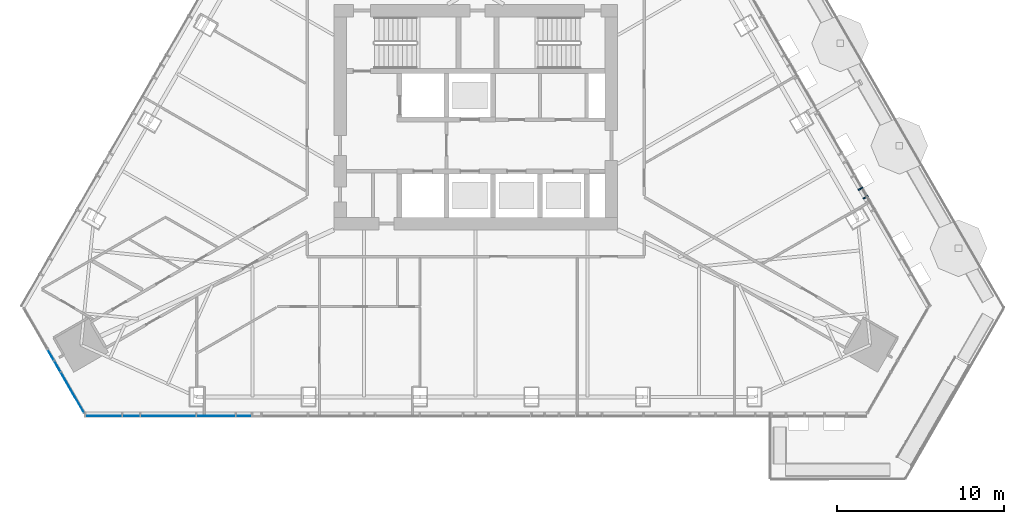
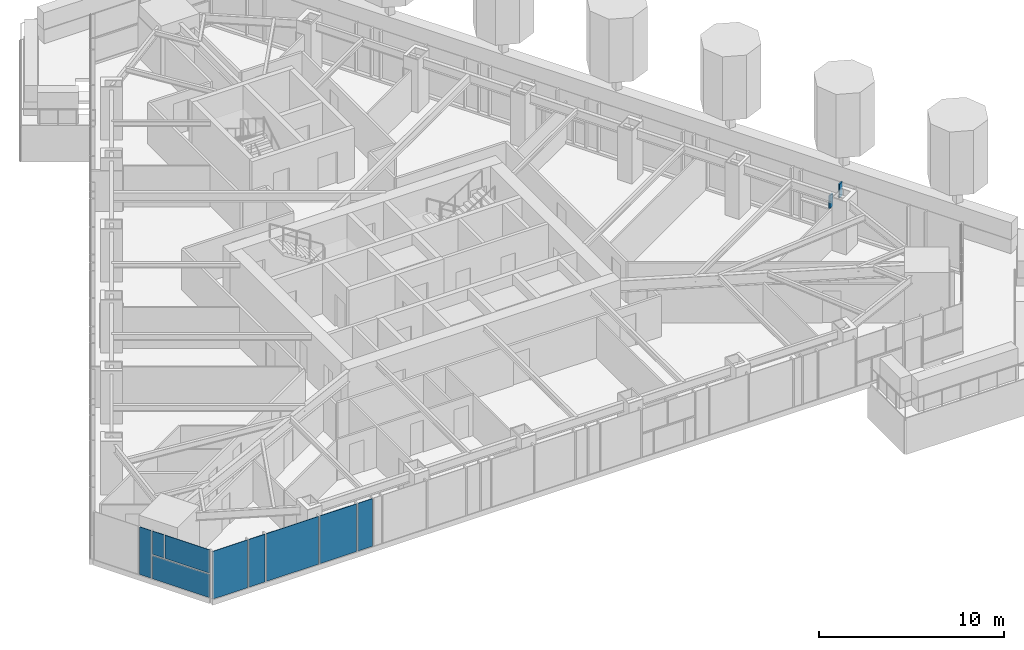
# One storey, part 8 of 24: 9 plates, 2 members, 3 elements without a shape of their own.
"""IFC4 building model written with IfcOpenShell, lengths in metres."""

import ifcopenshell
import ifcopenshell.guid

model = None  # the IFC model being written
_history = None  # IfcOwnerHistory: only IFC2X3 demands one
_inside = {}  # id of a spatial element -> (the spatial element, [elements in it])
_under = {}  # id of a project, library or spatial element -> (it, [spatial elements below it])
_declared = {}  # id of a project -> (the project, [libraries it declares])
_typed = {}  # id of a type object -> (the type object, [elements of that type])
_made_of = {}  # id of a material, layer set ... -> (it, [elements and type objects made of it])


def new_model(schema):
    """Start an empty IFC model of exactly this schema.

    Asked for "IFC4X3", IfcOpenShell would pick the latest addendum, in which some entities
    have other attributes; the version numbers below select the first issue.
    IFC2X3 requires an IfcOwnerHistory on every rooted entity: one is made here for all.
    """
    global model, _history
    if schema == "IFC4X3":
        model = ifcopenshell.file(schema_version=(4, 3, 0, 0))
    else:
        model = ifcopenshell.file(schema=schema)
    _inside.clear()
    _under.clear()
    _declared.clear()
    _typed.clear()
    _made_of.clear()
    _history = None
    if model.schema == "IFC2X3":
        org = make("IfcOrganization", Name="unknown")
        user = make(
            "IfcPersonAndOrganization",
            ThePerson=make("IfcPerson", FamilyName="unknown"),
            TheOrganization=org,
        )
        app = make(
            "IfcApplication",
            ApplicationDeveloper=org,
            Version="unknown",
            ApplicationFullName="unknown",
            ApplicationIdentifier="unknown",
        )
        _history = make(
            "IfcOwnerHistory",
            OwningUser=user,
            OwningApplication=app,
            ChangeAction="ADDED",
            CreationDate=0,
        )
    return model


def make(cls, **values):
    """One entity of the class cls with the attributes given. An attribute that is None is left unset."""
    return model.create_entity(
        cls, **{name: value for name, value in values.items() if value is not None}
    )


def rooted(cls, **values):
    """An entity with a GlobalId (a new one), such as an element, a storey or a relation."""
    return make(cls, GlobalId=ifcopenshell.guid.new(), OwnerHistory=_history, **values)


def si_unit(unit_type, name, prefix=None):
    """IfcSIUnit, for example si_unit("LENGTHUNIT", "METRE", prefix="MILLI")."""
    return make("IfcSIUnit", UnitType=unit_type, Prefix=prefix, Name=name)


def assignment(units):
    """IfcUnitAssignment: the units of a project."""
    return None if units is None else make("IfcUnitAssignment", Units=units)


def point(xyz):
    """IfcCartesianPoint."""
    return None if xyz is None else make("IfcCartesianPoint", Coordinates=xyz)


def direction(xyz):
    """IfcDirection."""
    return None if xyz is None else make("IfcDirection", DirectionRatios=xyz)


def frame(location, z_axis=None, x_axis=None):
    """IfcAxis2Placement3D, a coordinate frame: its origin and axes. An axis left out is left unset."""
    return make(
        "IfcAxis2Placement3D",
        Location=point(location),
        Axis=direction(z_axis),
        RefDirection=direction(x_axis),
    )


def frame_2d(location, x_axis=None):
    """IfcAxis2Placement2D, a coordinate frame in the plane: its origin and x axis."""
    return make(
        "IfcAxis2Placement2D", Location=point(location), RefDirection=direction(x_axis)
    )


def origin():
    """The frame at (0, 0, 0) with its axes left unset."""
    return frame((0.0, 0.0, 0.0))


def origin_2d():
    """The frame at (0, 0) in the plane with its x axis left unset."""
    return frame_2d((0.0, 0.0))


def place(relative_to, where):
    """IfcLocalPlacement: puts the frame where relative to a parent placement (None: the world)."""
    return make(
        "IfcLocalPlacement", PlacementRelTo=relative_to, RelativePlacement=where
    )


def context(
    kind, dimensions, precision=None, world=None, true_north=None, identifier=None
):
    """IfcGeometricRepresentationContext, for example the 3D "Model" context."""
    return make(
        "IfcGeometricRepresentationContext",
        ContextIdentifier=identifier,
        ContextType=kind,
        CoordinateSpaceDimension=dimensions,
        Precision=precision,
        WorldCoordinateSystem=world,
        TrueNorth=true_north,
    )


def subcontext(parent, identifier, kind, view, scale=None):
    """IfcGeometricRepresentationSubContext, for example "Body" below "Model"."""
    return make(
        "IfcGeometricRepresentationSubContext",
        ContextIdentifier=identifier,
        ContextType=kind,
        ParentContext=parent,
        TargetScale=scale,
        TargetView=view,
    )


def project(units=None, contexts=None):
    """IfcProject with its units and contexts."""
    return rooted(
        "IfcProject",
        Name="project",
        RepresentationContexts=contexts,
        UnitsInContext=assignment(units),
    )


def spatial(cls, under=None, at=None, **own):
    """A site, building, storey or space (cls), placed at a placement, below another one or the project."""
    s = rooted(cls, ObjectPlacement=at, **own)
    if under is not None:
        _under.setdefault(under.id(), (under, []))[1].append(s)
    return s


def polyline(points):
    """IfcPolyline through the points."""
    return make("IfcPolyline", Points=[point(p) for p in points])


def profile(cls, at=None, kind="AREA", **sizes):
    """A parametric profile (cls). Its sizes go by their IFC names, for example OverallWidth=200.0."""
    return make(cls, ProfileType=kind, Position=at, **sizes)


def rectangle(**sizes):
    """IfcRectangleProfileDef."""
    return profile("IfcRectangleProfileDef", **sizes)


def outline(outer, holes=None, kind="AREA"):
    """IfcArbitraryClosedProfileDef: a profile drawn as a closed curve; with holes, ...WithVoids."""
    if holes is None:
        return make("IfcArbitraryClosedProfileDef", ProfileType=kind, OuterCurve=outer)
    return make(
        "IfcArbitraryProfileDefWithVoids",
        ProfileType=kind,
        OuterCurve=outer,
        InnerCurves=holes,
    )


def extrude(swept, where, along, depth):
    """IfcExtrudedAreaSolid: the profile swept, set in the frame where, extruded along a direction by depth."""
    return make(
        "IfcExtrudedAreaSolid",
        SweptArea=swept,
        Position=where,
        ExtrudedDirection=direction(along),
        Depth=depth,
    )


def shape(context_of_items, identifier, shape_type, items):
    """IfcShapeRepresentation: the items that make up one representation, for example the "Body"."""
    return make(
        "IfcShapeRepresentation",
        ContextOfItems=context_of_items,
        RepresentationIdentifier=identifier,
        RepresentationType=shape_type,
        Items=items,
    )


def material(Name=None, Category=None):
    """IfcMaterial."""
    return make("IfcMaterial", Name=Name, Category=Category)


def layer(
    of_material, thickness, ventilated=None, Name=None, Category=None, Priority=None
):
    """IfcMaterialLayer: one layer of a wall or slab, of a material (None: an air gap)."""
    return make(
        "IfcMaterialLayer",
        Material=of_material,
        LayerThickness=thickness,
        IsVentilated=ventilated,
        Name=Name,
        Category=Category,
        Priority=Priority,
    )


def layer_set(layers, Name=None):
    """IfcMaterialLayerSet."""
    return make("IfcMaterialLayerSet", MaterialLayers=layers, LayerSetName=Name)


def material_profile(
    of_material, cross_section, Name=None, Category=None, Priority=None
):
    """IfcMaterialProfile: a cross section and its material."""
    return make(
        "IfcMaterialProfile",
        Name=Name,
        Material=of_material,
        Profile=cross_section,
        Priority=Priority,
        Category=Category,
    )


def profile_set(profiles, Name=None, composite=None):
    """IfcMaterialProfileSet."""
    return make(
        "IfcMaterialProfileSet",
        Name=Name,
        MaterialProfiles=profiles,
        CompositeProfile=composite,
    )


def made_of(thing, what):
    """Note that an element or type object is made of a material, layer set ...; save() writes the relation."""
    if what is not None:
        _made_of.setdefault(what.id(), (what, []))[1].append(thing)
    return thing


def type_object(cls, material=None, **own):
    """A type object (cls), such as IfcWallType, which elements share."""
    return made_of(rooted(cls, **own), material)


def element(
    cls,
    number,
    at=None,
    inside=None,
    cuts=None,
    type_object=None,
    material=None,
    context=None,
    identifier="Body",
    shape_type=None,
    held_by="IfcProductDefinitionShape",
    body=None,
    shapes=None,
    **own,
):
    """One element of the class cls, such as IfcWall. Its Tag is "e" and its number.

    at: its placement. inside: the storey or other place that contains it. cuts: it is an
    opening in that element (IfcRelVoidsElement). A single representation is given by context,
    identifier, shape_type and body (its items); several are given by shapes. held_by: the class
    of the entity that holds the representations. save() writes the other relations.
    """
    e = rooted(cls, Tag="e%d" % number, ObjectPlacement=at, **own)
    if body is not None:
        shapes = [shape(context, identifier, shape_type, body)]
    if shapes is not None:
        e.Representation = make(held_by, Representations=shapes)
    if inside is not None:
        _inside.setdefault(inside.id(), (inside, []))[1].append(e)
    if cuts is not None:
        rooted(
            "IfcRelVoidsElement", RelatingBuildingElement=cuts, RelatedOpeningElement=e
        )
    if type_object is not None:
        _typed.setdefault(type_object.id(), (type_object, []))[1].append(e)
    return made_of(e, material)


def aggregate(whole, parts):
    """IfcRelAggregates: a whole, such as a stair, and the parts it consists of."""
    return rooted("IfcRelAggregates", RelatingObject=whole, RelatedObjects=parts)


def save(model, path):
    """Write the relations noted so far, then the file.

    IfcRelAggregates (storeys below a building ...), IfcRelContainedInSpatialStructure (elements
    in a storey), IfcRelDefinesByType, IfcRelAssociatesMaterial and IfcRelDeclares: one each for
    every whole, place, type object, material and project.
    """
    for whole, parts in _under.values():
        aggregate(whole, parts)
    for where, things in _inside.values():
        rooted(
            "IfcRelContainedInSpatialStructure",
            RelatedElements=things,
            RelatingStructure=where,
        )
    for kind, things in _typed.values():
        rooted("IfcRelDefinesByType", RelatedObjects=things, RelatingType=kind)
    for what, things in _made_of.values():
        rooted("IfcRelAssociatesMaterial", RelatedObjects=things, RelatingMaterial=what)
    for by, libraries in _declared.values():
        rooted("IfcRelDeclares", RelatingContext=by, RelatedDefinitions=libraries)
    model.write(path)


model = new_model("IFC4")

# Units and contexts
model_context = context("Model", 3, precision=1e-05, world=origin(), true_north=direction((0.0, 1.0)))
body_context = subcontext(model_context, "Body", "Model", "MODEL_VIEW")
ifc_project = project(units=[si_unit("LENGTHUNIT", "METRE"), si_unit("AREAUNIT", "SQUARE_METRE"), si_unit("VOLUMEUNIT", "CUBIC_METRE"), si_unit("PLANEANGLEUNIT", "RADIAN"), si_unit("MASSUNIT", "GRAM", prefix="KILO")], contexts=[model_context])

# Site, building, storey
site_placement = place(None, origin())
site = spatial("IfcSite", under=ifc_project, at=site_placement, CompositionType="ELEMENT")
building_placement = place(site_placement, origin())
building = spatial("IfcBuilding", under=site, at=building_placement, Name="Firuza Gate Tower and Library", CompositionType="ELEMENT")
storey_placement = place(building_placement, frame((0.0, 0.0, 267.10009765625)))
storey = spatial("IfcBuildingStorey", under=building, at=storey_placement, Name="L63", CompositionType="ELEMENT", Elevation=267.10009765625)

# Curtain wall, members
ifc_material_1 = material(Name="Aluminium 6063-T6", Category="aluminium")
ifc_layer_1 = layer(ifc_material_1, 0.14990234375)
ifc_layer_set_1 = layer_set([ifc_layer_1], Name="Unitised curtain wall, residences")
curtain_wall_type_1 = type_object("IfcCurtainWallType", Name="Unitised curtain wall, residences", PredefinedType="NOTDEFINED", material=ifc_layer_set_1)
placement = place(storey_placement, origin())
curtain_wall_1 = element("IfcCurtainWall", 1, at=placement, inside=storey, type_object=curtain_wall_type_1, Name="CW3 L63 E face", PredefinedType="NOTDEFINED")
ifc_material_2 = material(Name="Aluminium 6063-T6", Category="aluminium")
ifc_material_profile = material_profile(ifc_material_2, rectangle(XDim=0.320068359375, YDim=0.080078125, at=origin_2d()))
ifc_profile_set = profile_set([ifc_material_profile], Name="Aluminium 6063-T6")
member_type = type_object("IfcMemberType", Name="Curtain wall mullion 80x320", PredefinedType="MULLION", material=ifc_profile_set)
member_1_placement = place(storey_placement, frame((98.05126953125, 70.71533203125, 1.489990234375), z_axis=(0.0, 0.0, 1.0), x_axis=(-0.866025403784, -0.5, 0.0)))
member_1 = element("IfcMember", 2, at=member_1_placement, type_object=member_type, Name="Mullion", PredefinedType="MULLION", context=body_context, shape_type="SweptSolid", body=[
    extrude(rectangle(XDim=0.320068359375, YDim=0.080078125, at=origin_2d()), origin(), (0.0, 0.0, 1.0), 0.844970703125),
])
member_2_placement = place(storey_placement, frame((98.350830078125, 70.196533203125, 2.414794921875), z_axis=(0.0, 0.0, 1.0), x_axis=(-0.866025403784, -0.5, 0.0)))
member_2 = element("IfcMember", 3, at=member_2_placement, type_object=member_type, Name="Mullion", PredefinedType="MULLION", context=body_context, shape_type="SweptSolid", body=[
    extrude(rectangle(XDim=0.320068359375, YDim=0.080078125, at=origin_2d()), origin(), (0.0, 0.0, 1.0), 0.885009765625),
])
aggregate(curtain_wall_1, [member_1, member_2])

# Curtain wall, plates
ifc_material_3 = material(Name="Aluminium 6063-T6", Category="aluminium")
ifc_layer_2 = layer(ifc_material_3, 0.14990234375)
ifc_layer_set_2 = layer_set([ifc_layer_2], Name="Corner curtain wall, chamfers")
curtain_wall_type_2 = type_object("IfcCurtainWallType", Name="Corner curtain wall, chamfers", PredefinedType="NOTDEFINED", material=ifc_layer_set_2)
curtain_wall_2 = element("IfcCurtainWall", 4, at=placement, inside=storey, type_object=curtain_wall_type_2, Name="CW4 L63 SW corner", PredefinedType="NOTDEFINED")
ifc_material_4 = material(Name="Fritted glass", Category="glass")
ifc_layer_3 = layer(ifc_material_4, 0.030029296875)
ifc_layer_set_3 = layer_set([ifc_layer_3], Name="Fritted glass unit, corners")
plate_type_1 = type_object("IfcPlateType", Name="Fritted glass unit, corners", PredefinedType="CURTAIN_PANEL", material=ifc_layer_set_3)
plate_1_placement = place(storey_placement, frame((49.35546875, 61.0654296875, 0.14990234375), z_axis=(-0.866111632091, -0.499850618442, 0.0), x_axis=(0.499850618442, -0.866111632091, 0.0)))
plate_1 = element("IfcPlate", 5, at=plate_1_placement, type_object=plate_type_1, Name="Glass unit", PredefinedType="CURTAIN_PANEL", context=body_context, shape_type="SweptSolid", body=[
    extrude(outline(polyline([(0.0, 0.0), (0.7145689555984032, 0.0), (0.7145689555984032, 3.14990234375), (0.0, 3.14990234375), (0.0, 0.0)])), origin(), (0.0, 0.0, -1.0), 0.030029296875),
])
plate_2_placement = place(storey_placement, frame((49.752685546875, 60.377197265625, 0.14990234375), z_axis=(-0.866016723041, -0.500015035186, 0.0), x_axis=(0.500015035186, -0.866016723041, 0.0)))
plate_2 = element("IfcPlate", 6, at=plate_2_placement, type_object=plate_type_1, Name="Glass unit", PredefinedType="CURTAIN_PANEL", context=body_context, shape_type="SweptSolid", body=[
    extrude(outline(polyline([(0.0, 0.0), (3.5633694106530625, 0.0), (3.5633694106530625, 1.5349121093749998), (0.0, 1.5349121093749998), (0.0, 0.0)])), origin(), (0.0, 0.0, -1.0), 0.030029296875),
])
plate_3_placement = place(storey_placement, frame((49.752685546875, 60.377197265625, 1.764892578125), z_axis=(-0.865878230008, -0.500254825861, 0.0), x_axis=(0.500254825861, -0.865878230008, 0.0)))
plate_3 = element("IfcPlate", 7, at=plate_3_placement, type_object=plate_type_1, Name="Glass unit", PredefinedType="CURTAIN_PANEL", context=body_context, shape_type="SweptSolid", body=[
    extrude(outline(polyline([(0.0, 0.0), (0.7144796142339429, 0.0), (0.7144796142339429, 1.534912109375), (0.0, 1.534912109375), (0.0, 0.0)])), origin(), (0.0, 0.0, -1.0), 0.030029296875),
])

curtain_wall_3 = element("IfcCurtainWall", 8, at=placement, inside=storey, type_object=curtain_wall_type_1, Name="CW3 L63 S face", PredefinedType="NOTDEFINED")
ifc_material_5 = material(Name="Fritted glass", Category="glass")
ifc_layer_4 = layer(ifc_material_5, 0.030029296875)
ifc_layer_set_4 = layer_set([ifc_layer_4], Name="Fritted glass unit, residences")
plate_type_2 = type_object("IfcPlateType", Name="Fritted glass unit, residences", PredefinedType="CURTAIN_PANEL", material=ifc_layer_set_4)
plate_4_placement = place(storey_placement, frame((53.87158203125, 57.079345703125, 0.14990234375), z_axis=(0.0, -1.0, 0.0), x_axis=(1.0, 0.0, 0.0)))
plate_4 = element("IfcPlate", 9, at=plate_4_placement, type_object=plate_type_2, Name="Glass unit", PredefinedType="CURTAIN_PANEL", context=body_context, shape_type="SweptSolid", body=[
    extrude(outline(polyline([(0.0, 0.0), (1.00341796875, 0.0), (1.00341796875, 3.14990234375), (0.0, 3.14990234375), (0.0, 0.0)])), origin(), (0.0, 0.0, -1.0), 0.030029296875),
])
plate_5_placement = place(storey_placement, frame((60.671630859375, 57.079345703125, 0.14990234375), z_axis=(0.0, -1.0, 0.0), x_axis=(1.0, 0.0, 0.0)))
plate_5 = element("IfcPlate", 10, at=plate_5_placement, type_object=plate_type_2, Name="Glass unit", PredefinedType="CURTAIN_PANEL", context=body_context, shape_type="SweptSolid", body=[
    extrude(outline(polyline([(0.0, 0.0), (0.898193359375, 0.0), (0.898193359375, 3.14990234375), (0.0, 3.14990234375), (0.0, 0.0)])), origin(), (0.0, 0.0, -1.0), 0.030029296875),
])

# Plate
ifc_material_6 = material(Name="Glazed ceramic tile")
ifc_layer_5 = layer(ifc_material_6, 0.030029296875)
ifc_layer_set_5 = layer_set([ifc_layer_5], Name="Opaque ceramic panel, corners")
plate_type_3 = type_object("IfcPlateType", Name="Opaque ceramic panel, corners", PredefinedType="CURTAIN_PANEL", material=ifc_layer_set_5)
plate_6_placement = place(storey_placement, frame((50.14990234375, 59.689208984375, 1.764892578125), z_axis=(-0.866015261085, -0.500017567259, 0.0), x_axis=(0.500017567259, -0.866015261085, 0.0)))
plate_6 = element("IfcPlate", 11, at=plate_6_placement, type_object=plate_type_3, Name="Opaque ceramic panel", PredefinedType="CURTAIN_PANEL", context=body_context, shape_type="SweptSolid", body=[
    extrude(outline(polyline([(0.0, 0.0), (2.768945683179735, 0.0), (2.768945683179735, 1.534912109375), (0.0, 1.534912109375), (0.0, 0.0)])), origin(), (0.0, 0.0, -1.0), 0.030029296875),
])

aggregate(curtain_wall_2, [plate_1, plate_2, plate_3, plate_6])

ifc_material_7 = material(Name="Glazed ceramic tile")
ifc_layer_6 = layer(ifc_material_7, 0.030029296875)
ifc_layer_set_6 = layer_set([ifc_layer_6], Name="Opaque ceramic panel, residences")
plate_type_4 = type_object("IfcPlateType", Name="Opaque ceramic panel, residences", PredefinedType="CURTAIN_PANEL", material=ifc_layer_set_6)
plate_7_placement = place(storey_placement, frame((51.607421875, 57.079345703125, 0.14990234375), z_axis=(0.0, -1.0, 0.0), x_axis=(1.0, 0.0, 0.0)))
plate_7 = element("IfcPlate", 12, at=plate_7_placement, type_object=plate_type_4, Name="Opaque ceramic panel", PredefinedType="CURTAIN_PANEL", context=body_context, shape_type="SweptSolid", body=[
    extrude(outline(polyline([(0.0, 0.0), (2.18408203125, 0.0), (2.18408203125, 3.14990234375), (0.0, 3.14990234375), (0.0, 0.0)])), origin(), (0.0, 0.0, -1.0), 0.030029296875),
])

plate_8_placement = place(storey_placement, frame((54.954833984375, 57.079345703125, 0.14990234375), z_axis=(0.0, -1.0, 0.0), x_axis=(1.0, 0.0, 0.0)))
plate_8 = element("IfcPlate", 13, at=plate_8_placement, type_object=plate_type_4, Name="Opaque ceramic panel", PredefinedType="CURTAIN_PANEL", context=body_context, shape_type="SweptSolid", body=[
    extrude(outline(polyline([(0.0, 0.0), (3.267578125, 0.0), (3.267578125, 3.14990234375), (0.0, 3.14990234375), (0.0, 0.0)])), origin(), (0.0, 0.0, -1.0), 0.030029296875),
])

plate_9_placement = place(storey_placement, frame((58.302490234375, 57.079345703125, 0.14990234375), z_axis=(0.0, -1.0, 0.0), x_axis=(1.0, 0.0, 0.0)))
plate_9 = element("IfcPlate", 14, at=plate_9_placement, type_object=plate_type_4, Name="Opaque ceramic panel", PredefinedType="CURTAIN_PANEL", context=body_context, shape_type="SweptSolid", body=[
    extrude(outline(polyline([(0.0, 0.0), (2.2890625, 0.0), (2.2890625, 3.14990234375), (0.0, 3.14990234375), (0.0, 0.0)])), origin(), (0.0, 0.0, -1.0), 0.030029296875),
])

aggregate(curtain_wall_3, [plate_7, plate_4, plate_8, plate_9, plate_5])

save(model, "model.ifc")
